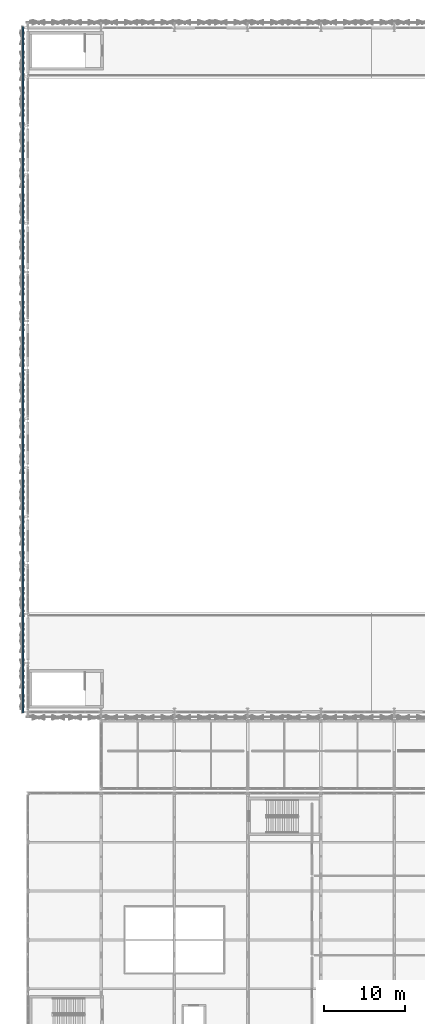
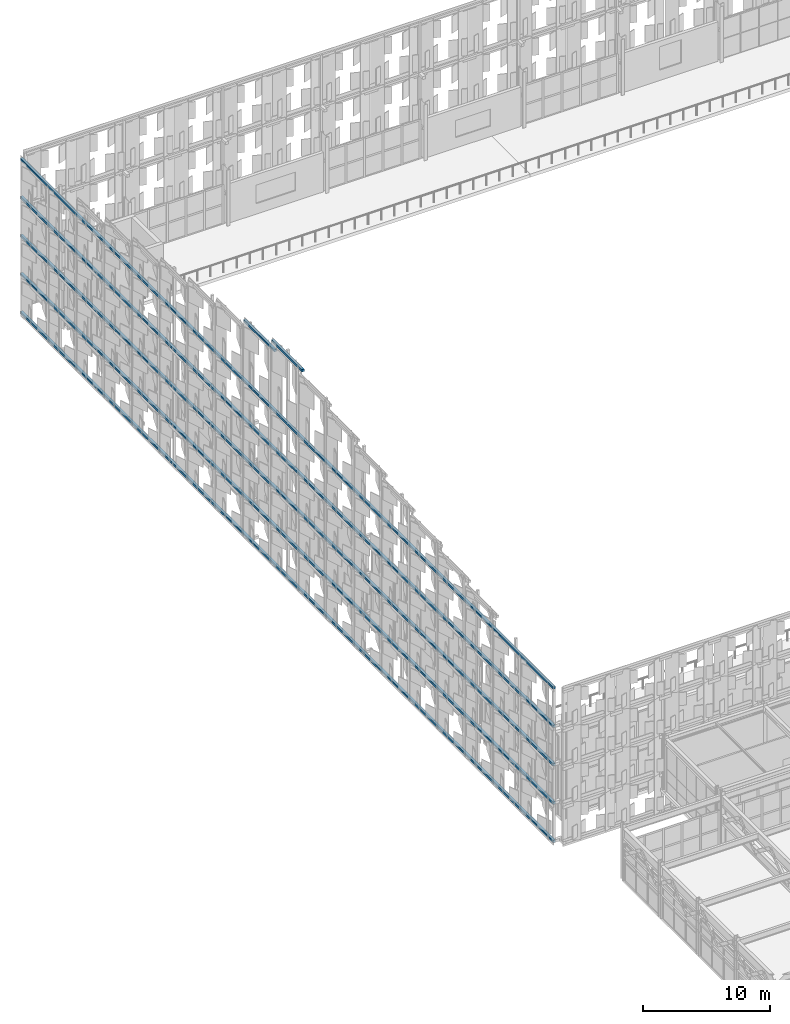
# One storey, part 169 of 210: 7 discrete accessories.
"""IFC4 building model written with IfcOpenShell, lengths in metres."""

from ifc_helpers import new_model, si_unit, direction, frame, origin, origin_2d, place, context, subcontext, project, spatial, rectangle, extrude, material, type_object, element, save


model = new_model("IFC4")

# Units and contexts
model_context = context("Model", 3, precision=1e-05, world=origin(), true_north=direction((0.0, 1.0)))
body_context = subcontext(model_context, "Body", "Model", "MODEL_VIEW")
ifc_project = project(units=[si_unit("LENGTHUNIT", "METRE"), si_unit("AREAUNIT", "SQUARE_METRE"), si_unit("VOLUMEUNIT", "CUBIC_METRE"), si_unit("PLANEANGLEUNIT", "RADIAN"), si_unit("MASSUNIT", "GRAM", prefix="KILO")], contexts=[model_context])

# Site, building, storey
site_placement = place(None, origin())
site = spatial("IfcSite", under=ifc_project, at=site_placement, CompositionType="ELEMENT")
building_placement = place(site_placement, origin())
building = spatial("IfcBuilding", under=site, at=building_placement, Name="Kaldris Quays Convention Centre", CompositionType="ELEMENT")
storey_placement = place(building_placement, frame((0.0, 0.0, 6.0)))
storey = spatial("IfcBuildingStorey", under=building, at=storey_placement, Name="L01", CompositionType="ELEMENT", Elevation=6.0)

# Discrete accessories
ifc_material = material(Name="Steel S355J2", Category="steel")
discrete_accessory_type = type_object("IfcDiscreteAccessoryType", Name="SCREEN OUTRIGGER BRACKET BK01", PredefinedType="BRACKET", material=ifc_material)
for number, where, z_axis, x_axis, name in (
    (1, (19.419921875, 98.0, -2.259765625), (0.0, 0.0, 1.0), (0.0, 1.0, 0.0), "V1W Screen Carrier Rail 76"),
    (2, (19.419921875, 98.0, 1.43994140625), (0.0, 0.0, 1.0), (0.0, 1.0, 0.0), "V1W Screen Carrier Rail 77"),
    (3, (19.419921875, 98.0, 5.14013671875), (0.0, 0.0, 1.0), (0.0, 1.0, 0.0), "V1W Screen Carrier Rail 78"),
    (4, (19.419921875, 98.0, 8.83984375), (0.0, 0.0, 1.0), (0.0, 1.0, 0.0), "V1W Screen Carrier Rail 79"),
    (5, (19.419921875, 98.0, 12.5400390625), (0.0, 0.0, 1.0), (0.0, 1.0, 0.0), "V1W Screen Carrier Rail 80"),
):
    element("IfcDiscreteAccessory", number, at=place(storey_placement, frame(where, z_axis=z_axis, x_axis=x_axis)), inside=storey, type_object=discrete_accessory_type, Name=name, PredefinedType="BRACKET", context=body_context, shape_type="SweptSolid", body=[
        extrude(rectangle(XDim=84.199951171875, YDim=0.219970703125, at=origin_2d()), origin(), (0.0, 0.0, 1.0), 0.219970703125),
    ])
for number, where, z_axis, x_axis, name in (
    (6, (19.419921875, 98.0, 19.09716796875), (0.0, 0.0, 1.0), (0.0, 1.0, 0.0), "V1W Gable Screen Cap Rail 88"),
    (7, (19.419921875, 102.389404296875, 18.3662109375), (0.0, 0.0, 1.0), (0.0, 1.0, 0.0), "V1W Gable Screen Cap Rail 89"),
):
    element("IfcDiscreteAccessory", number, at=place(storey_placement, frame(where, z_axis=z_axis, x_axis=x_axis)), inside=storey, type_object=discrete_accessory_type, Name=name, PredefinedType="BRACKET", context=body_context, shape_type="SweptSolid", body=[
        extrude(rectangle(XDim=4.839111328125, YDim=0.219970703125, at=origin_2d()), origin(), (0.0, 0.0, 1.0), 0.219970703125),
    ])

save(model, "model.ifc")
